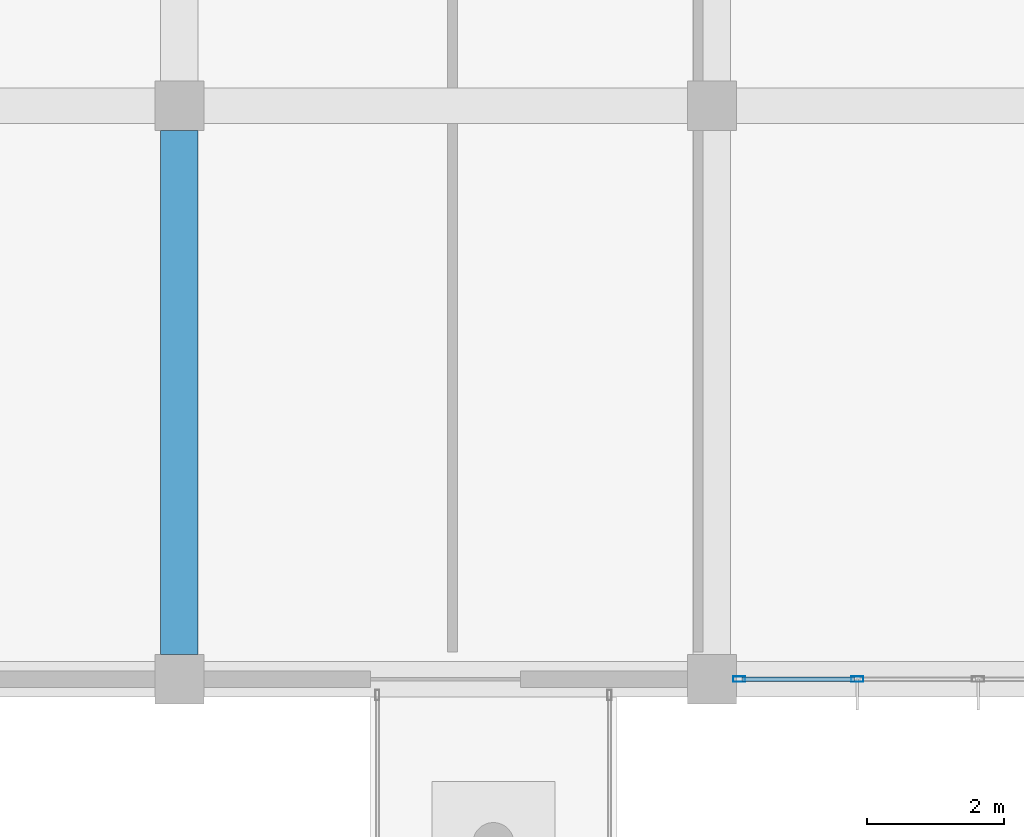
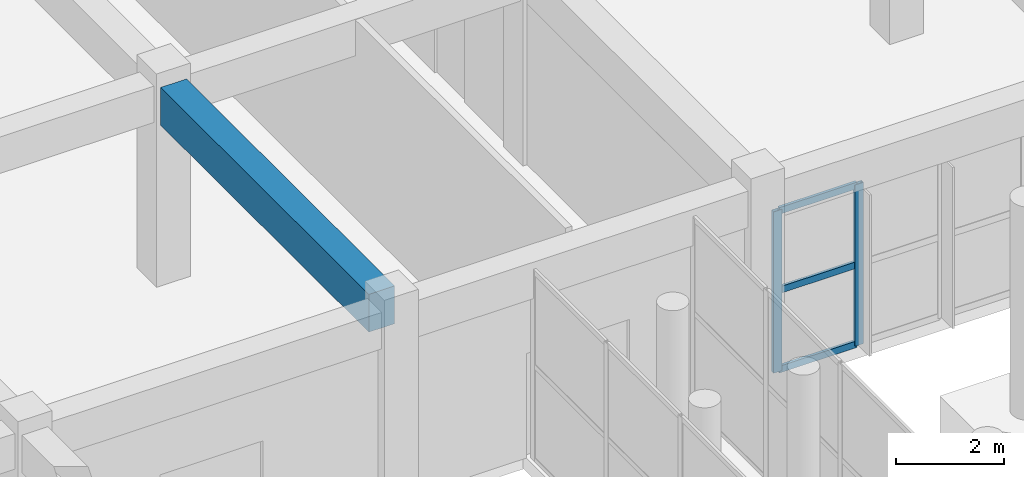
# One storey, part 57 of 139: 5 members, 1 beam, 1 element without a shape of its own.
"""IFC4 building model written with IfcOpenShell, lengths in metres."""

from ifc_helpers import new_model, si_unit, direction, frame, origin, origin_2d, place, context, subcontext, project, spatial, rectangle, hollow_rectangle, extrude, material, layer, layer_set, material_profile, profile_set, type_object, element, aggregate, save


model = new_model("IFC4")

# Units and contexts
model_context = context("Model", 3, precision=1e-05, world=origin(), true_north=direction((0.0, 1.0)))
body_context = subcontext(model_context, "Body", "Model", "MODEL_VIEW")
ifc_project = project(units=[si_unit("LENGTHUNIT", "METRE"), si_unit("AREAUNIT", "SQUARE_METRE"), si_unit("VOLUMEUNIT", "CUBIC_METRE"), si_unit("PLANEANGLEUNIT", "RADIAN"), si_unit("MASSUNIT", "GRAM", prefix="KILO")], contexts=[model_context])

# Site, building, storey
site_placement = place(None, origin())
site = spatial("IfcSite", under=ifc_project, at=site_placement, CompositionType="ELEMENT")
building_placement = place(site_placement, origin())
building = spatial("IfcBuilding", under=site, at=building_placement, Name="Zizhar Promenade General Hospital", CompositionType="ELEMENT")
storey_placement = place(building_placement, origin())
storey = spatial("IfcBuildingStorey", under=building, at=storey_placement, Name="L00", CompositionType="ELEMENT", Elevation=0.0)

# Beam
ifc_material_1 = material(Name="Concrete C35/45", Category="concrete")
ifc_material_profile_1 = material_profile(ifc_material_1, rectangle(XDim=0.550048828125, YDim=0.85009765625, at=origin_2d()))
ifc_profile_set_1 = profile_set([ifc_material_profile_1], Name="Concrete C35/45")
beam_type = type_object("IfcBeamType", Name="BM-RC-550x850", PredefinedType="BEAM", material=ifc_profile_set_1)
beam_placement = place(storey_placement, frame((140.39990234375, 42.360107421875, 4.044921875), z_axis=(0.0, 1.0, 0.0), x_axis=(-1.0, 0.0, 0.0)))
element("IfcBeam", 1, at=beam_placement, inside=storey, type_object=beam_type, Name="Grid Beam Y L00 (18-5)", PredefinedType="BEAM", context=body_context, shape_type="SweptSolid", body=[
    extrude(rectangle(XDim=0.550048828125, YDim=0.85009765625, at=origin_2d()), origin(), (0.0, 0.0, 1.0), 7.679931640625),
])

# Curtain wall, members
ifc_material_2 = material(Name="Anodised aluminium 6063-T6 and low-E glass", Category="aluminium")
ifc_layer = layer(ifc_material_2, 0.159912109375)
ifc_layer_set = layer_set([ifc_layer], Name="Anodised aluminium 6063-T6 and low-E glass")
curtain_wall_type = type_object("IfcCurtainWallType", Name="CW-CLN-EXT", PredefinedType="NOTDEFINED", material=ifc_layer_set)
curtain_wall_placement = place(storey_placement, origin())
curtain_wall = element("IfcCurtainWall", 2, at=curtain_wall_placement, inside=storey, type_object=curtain_wall_type, Name="Outpatient Forecourt Curtain Wall L00-19", PredefinedType="NOTDEFINED")
ifc_material_3 = material(Name="Anodised aluminium 6063-T6", Category="aluminium")
ifc_material_profile_2 = material_profile(ifc_material_3, hollow_rectangle(XDim=0.080078125, YDim=0.179931640625, WallThickness=0.0048828125, at=origin_2d()))
ifc_profile_set_2 = profile_set([ifc_material_profile_2], Name="Anodised aluminium 6063-T6")
member_type_1 = type_object("IfcMemberType", Name="CWM-ALU-180x80", PredefinedType="MULLION", material=ifc_profile_set_2)
member_1_placement = place(storey_placement, frame((150.330078125, 42.0, 0.0), z_axis=(0.0, 0.0, 1.0), x_axis=(0.0, -1.0, 0.0)))
member_1 = element("IfcMember", 3, at=member_1_placement, type_object=member_type_1, Name="CW-09 mullion 4", PredefinedType="MULLION", context=body_context, shape_type="SweptSolid", body=[
    extrude(hollow_rectangle(XDim=0.080078125, YDim=0.179931640625, WallThickness=0.0048828125, at=origin_2d()), origin(), (0.0, 0.0, 1.0), 3.6298828125),
])
member_2_placement = place(storey_placement, frame((148.60009765625, 42.0, 0.0), z_axis=(0.0, 0.0, 1.0), x_axis=(0.0, -1.0, 0.0)))
member_2 = element("IfcMember", 4, at=member_2_placement, type_object=member_type_1, Name="CW-09 mullion 5", PredefinedType="MULLION", context=body_context, shape_type="SweptSolid", body=[
    extrude(hollow_rectangle(XDim=0.080078125, YDim=0.179931640625, WallThickness=0.0048828125, at=origin_2d()), origin(), (0.0, 0.0, 1.0), 3.6298828125),
])
ifc_material_4 = material(Name="Anodised aluminium 6063-T6", Category="aluminium")
ifc_material_profile_3 = material_profile(ifc_material_4, hollow_rectangle(XDim=0.06005859375, YDim=0.14990234375, WallThickness=0.00390625, at=origin_2d()))
ifc_profile_set_3 = profile_set([ifc_material_profile_3], Name="Anodised aluminium 6063-T6")
member_type_2 = type_object("IfcMemberType", Name="CWT-ALU-150x60", PredefinedType="USERDEFINED", material=ifc_profile_set_3)
member_3_placement = place(storey_placement, frame((150.2900390625, 42.0, 0.030029296875), z_axis=(-1.0, 0.0, 0.0), x_axis=(0.0, -1.0, 0.0)))
member_3 = element("IfcMember", 5, at=member_3_placement, type_object=member_type_2, Name="CW-09 transom 4.1", ObjectType="TRANSOM", PredefinedType="USERDEFINED", context=body_context, shape_type="SweptSolid", body=[
    extrude(hollow_rectangle(XDim=0.06005859375, YDim=0.14990234375, WallThickness=0.00390625, at=origin_2d()), origin(), (0.0, 0.0, 1.0), 1.650146484375),
])
member_4_placement = place(storey_placement, frame((150.2900390625, 42.0, 1.81494140625), z_axis=(-1.0, 0.0, 0.0), x_axis=(0.0, -1.0, 0.0)))
member_4 = element("IfcMember", 6, at=member_4_placement, type_object=member_type_2, Name="CW-09 transom 4.2", ObjectType="TRANSOM", PredefinedType="USERDEFINED", context=body_context, shape_type="SweptSolid", body=[
    extrude(hollow_rectangle(XDim=0.06005859375, YDim=0.14990234375, WallThickness=0.00390625, at=origin_2d()), origin(), (0.0, 0.0, 1.0), 1.650146484375),
])
member_5_placement = place(storey_placement, frame((150.2900390625, 42.0, 3.60009765625), z_axis=(-1.0, 0.0, 0.0), x_axis=(0.0, -1.0, 0.0)))
member_5 = element("IfcMember", 7, at=member_5_placement, type_object=member_type_2, Name="CW-09 transom 4.3", ObjectType="TRANSOM", PredefinedType="USERDEFINED", context=body_context, shape_type="SweptSolid", body=[
    extrude(hollow_rectangle(XDim=0.06005859375, YDim=0.14990234375, WallThickness=0.00390625, at=origin_2d()), origin(), (0.0, 0.0, 1.0), 1.650146484375),
])
aggregate(curtain_wall, [member_1, member_2, member_3, member_4, member_5])

save(model, "model.ifc")
